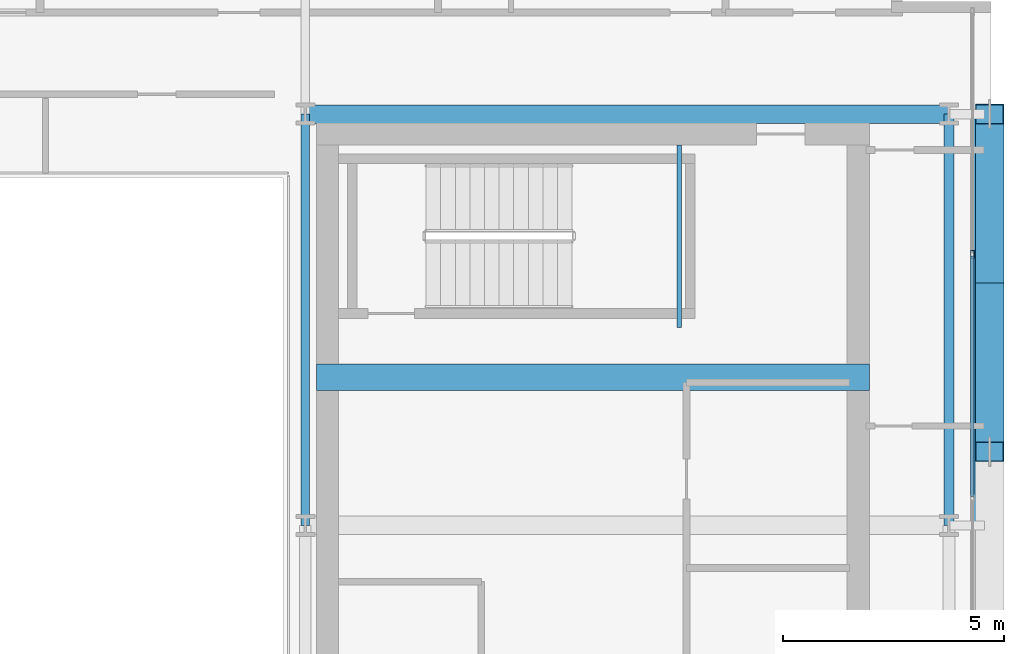
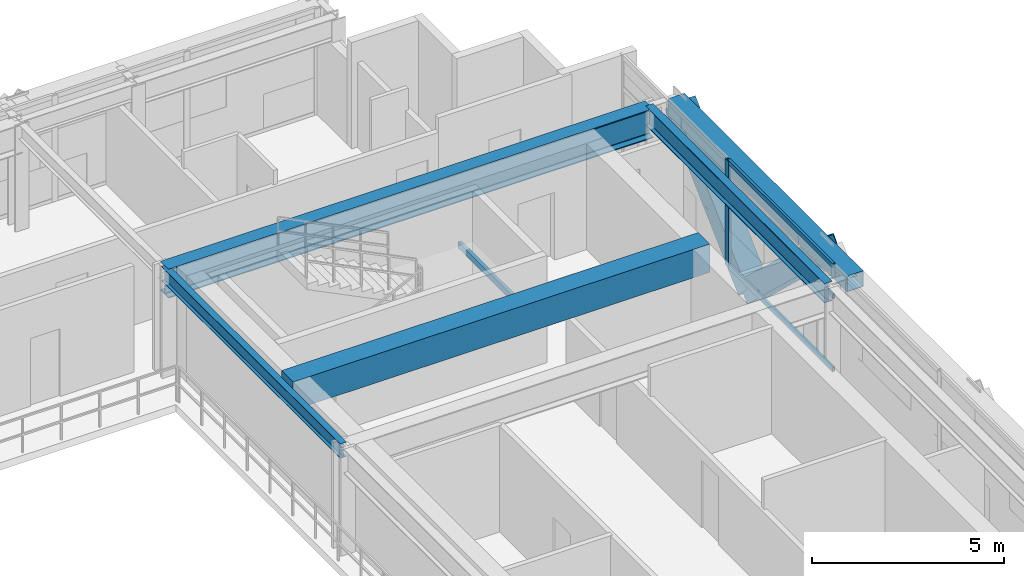
# One storey, part 14 of 32: 6 beams, 6 members, 1 element without a shape of its own.
"""IFC4 building model written with IfcOpenShell, lengths in metres."""

from ifc_helpers import new_model, si_unit, direction, frame, origin, origin_2d, place, context, subcontext, project, spatial, rectangle, hollow_rectangle, i_section, extrude, source, transform, mapped, material, layer, layer_set, material_profile, profile_set, type_object, element, aggregate, save


model = new_model("IFC4")

# Units and contexts
model_context = context("Model", 3, precision=1e-05, world=origin(), true_north=direction((0.0, 1.0)))
body_context = subcontext(model_context, "Body", "Model", "MODEL_VIEW")
ifc_project = project(units=[si_unit("LENGTHUNIT", "METRE"), si_unit("AREAUNIT", "SQUARE_METRE"), si_unit("VOLUMEUNIT", "CUBIC_METRE"), si_unit("PLANEANGLEUNIT", "RADIAN"), si_unit("MASSUNIT", "GRAM", prefix="KILO")], contexts=[model_context])

# Site, building, storey
site_placement = place(None, origin())
site = spatial("IfcSite", under=ifc_project, at=site_placement, CompositionType="ELEMENT")
building_placement = place(site_placement, origin())
building = spatial("IfcBuilding", under=site, at=building_placement, Name="Ocotamira Hotel", CompositionType="ELEMENT")
storey_placement = place(building_placement, frame((0.0, 0.0, 213.60009765625)))
storey = spatial("IfcBuildingStorey", under=building, at=storey_placement, Name="L54", CompositionType="ELEMENT", Elevation=213.60009765625)

# Beams
ifc_material_1 = material(Name="Concrete C50/60", Category="concrete")
ifc_material_profile_1 = material_profile(ifc_material_1, rectangle(XDim=0.60009765625, YDim=0.89990234375, at=origin_2d()), Name="RC600X900")
ifc_profile_set_1 = profile_set([ifc_material_profile_1], Name="Concrete C50/60")
beam_type_1 = type_object("IfcBeamType", Name="BM-LINK-RC600", PredefinedType="LINTEL", material=ifc_profile_set_1)
shared_shape_1 = source(origin(), body_context, "Body", "SweptSolid", [
    extrude(rectangle(XDim=0.60009765625, YDim=0.89990234375, at=origin_2d()), origin(), (0.0, 0.0, 1.0), 12.5),
])
beam_1_placement = place(storey_placement, frame((40.75, 31.5, 2.919921875), z_axis=(1.0, 0.0, 0.0), x_axis=(0.0, 1.0, 0.0)))
element("IfcBeam", 1, at=beam_1_placement, inside=storey, type_object=beam_type_1, Name="L54 East Core Coupling Beam", PredefinedType="LINTEL", context=body_context, shape_type="MappedRepresentation", body=[
    mapped(shared_shape_1, transform((0.0, 0.0, 0.0), scale=1.0)),
])
ifc_material_2 = material(Name="Steel ASTM A500 Grade C", Category="steel")
ifc_material_profile_2 = material_profile(ifc_material_2, hollow_rectangle(XDim=0.10009765625, YDim=0.199951171875, WallThickness=0.008056640625, at=origin_2d()), Name="HSS200X100X8")
ifc_profile_set_2 = profile_set([ifc_material_profile_2], Name="Steel ASTM A500 Grade C")
beam_type_2 = type_object("IfcBeamType", Name="BM-STLDG-HSS200", PredefinedType="BEAM", material=ifc_profile_set_2)
shared_shape_2 = source(origin(), body_context, "Body", "SweptSolid", [
    extrude(hollow_rectangle(XDim=0.10009765625, YDim=0.199951171875, WallThickness=0.008056640625, at=origin_2d()), origin(), (0.0, 0.0, 1.0), 4.1201171875),
])
beam_2_placement = place(storey_placement, frame((48.949951171875, 32.6298828125, 1.5), z_axis=(0.0, 1.0, 0.0), x_axis=(-1.0, 0.0, 0.0)))
element("IfcBeam", 2, at=beam_2_placement, inside=storey, type_object=beam_type_2, Name="L54 Stair ST-4 Landing Bearer 1", PredefinedType="BEAM", context=body_context, shape_type="MappedRepresentation", body=[
    mapped(shared_shape_2, transform((0.0, 0.0, 0.0), scale=1.0)),
])
ifc_material_3 = material(Name="Steel ASTM A992 Grade 50", Category="steel")
ifc_material_profile_3 = material_profile(ifc_material_3, i_section(OverallWidth=0.41796875, OverallDepth=0.927001953125, WebThickness=0.019287109375, FlangeThickness=0.031982421875, FilletRadius=0.02392578125, at=origin_2d()), Name="W36X231")
ifc_profile_set_3 = profile_set([ifc_material_profile_3], Name="Steel ASTM A992 Grade 50")
beam_type_3 = type_object("IfcBeamType", Name="BM-GIRD-W36X231", PredefinedType="BEAM", material=ifc_profile_set_3)
shared_shape_3 = source(origin(), body_context, "Body", "SweptSolid", [
    extrude(i_section(OverallWidth=0.41796875, OverallDepth=0.927001953125, WebThickness=0.019287109375, FlangeThickness=0.031982421875, FilletRadius=0.02392578125, at=origin_2d()), origin(), (0.0, 0.0, 1.0), 14.550048828125),
])
beam_3_placement = place(storey_placement, frame((40.5, 37.449951171875, 2.906494140625), z_axis=(1.0, 0.0, 0.0), x_axis=(0.0, 1.0, 0.0)))
element("IfcBeam", 3, at=beam_3_placement, inside=storey, type_object=beam_type_3, Name="L54 Girder Y37.45 X40.5-55.05", PredefinedType="BEAM", context=body_context, shape_type="MappedRepresentation", body=[
    mapped(shared_shape_3, transform((0.0, 0.0, 0.0), scale=1.0)),
])
ifc_material_profile_4 = material_profile(ifc_material_3, i_section(OverallWidth=0.22998046875, OverallDepth=0.616943359375, WebThickness=0.01318359375, FlangeThickness=0.022216796875, FilletRadius=0.012939453125, at=origin_2d()), Name="W24X94")
ifc_profile_set_4 = profile_set([ifc_material_profile_4], Name="Steel ASTM A992 Grade 50")
beam_type_4 = type_object("IfcBeamType", Name="BM-PRIM-W24X94", PredefinedType="BEAM", material=ifc_profile_set_4)
shared_shape_4 = source(origin(), body_context, "Body", "SweptSolid", [
    extrude(i_section(OverallWidth=0.22998046875, OverallDepth=0.616943359375, WebThickness=0.01318359375, FlangeThickness=0.022216796875, FilletRadius=0.012939453125, at=origin_2d()), origin(), (0.0, 0.0, 1.0), 9.300048828125),
])
beam_4_placement = place(storey_placement, frame((55.050048828125, 28.14990234375, 3.0615234375), z_axis=(0.0, 1.0, 0.0), x_axis=(-1.0, 0.0, 0.0)))
element("IfcBeam", 4, at=beam_4_placement, inside=storey, type_object=beam_type_4, Name="L54 Beam X55.05 Y28.15-37.45", PredefinedType="BEAM", context=body_context, shape_type="MappedRepresentation", body=[
    mapped(shared_shape_4, transform((0.0, 0.0, 0.0), scale=1.0)),
])
ifc_material_profile_5 = material_profile(ifc_material_3, i_section(OverallWidth=0.18994140625, OverallDepth=0.45703125, WebThickness=0.009033203125, FlangeThickness=0.014404296875, FilletRadius=0.010009765625, at=origin_2d()), Name="W18X50")
ifc_profile_set_5 = profile_set([ifc_material_profile_5], Name="Steel ASTM A992 Grade 50")
beam_type_5 = type_object("IfcBeamType", Name="BM-SEC-W18X50", PredefinedType="JOIST", material=ifc_profile_set_5)
shared_shape_5 = source(origin(), body_context, "Body", "SweptSolid", [
    extrude(i_section(OverallWidth=0.18994140625, OverallDepth=0.45703125, WebThickness=0.009033203125, FlangeThickness=0.014404296875, FilletRadius=0.010009765625, at=origin_2d()), origin(), (0.0, 0.0, 1.0), 9.300048828125),
])
beam_5_placement = place(storey_placement, frame((40.5, 28.14990234375, 3.141357421875), z_axis=(0.0, 1.0, 0.0), x_axis=(-1.0, 0.0, 0.0)))
element("IfcBeam", 5, at=beam_5_placement, inside=storey, type_object=beam_type_5, Name="L54 Beam X40.5 Y28.15-37.45", PredefinedType="JOIST", context=body_context, shape_type="MappedRepresentation", body=[
    mapped(shared_shape_5, transform((0.0, 0.0, 0.0), scale=1.0)),
])
ifc_material_profile_6 = material_profile(ifc_material_2, hollow_rectangle(XDim=0.5, YDim=0.5, WallThickness=0.02001953125, at=origin_2d()), Name="HSS500X500X20")
ifc_profile_set_6 = profile_set([ifc_material_profile_6], Name="Steel ASTM A500 Grade C")
beam_type_6 = type_object("IfcBeamType", Name="BM-SPAN-HSS500", PredefinedType="USERDEFINED", material=ifc_profile_set_6)
shared_shape_6 = source(origin(), body_context, "Body", "SweptSolid", [
    extrude(hollow_rectangle(XDim=0.5, YDim=0.5, WallThickness=0.02001953125, at=origin_2d()), origin(), (0.0, 0.0, 1.0), 9.300048828125),
])
beam_6_placement = place(storey_placement, frame((55.85009765625, 28.14990234375, 3.119873046875), z_axis=(0.0, 1.0, 0.0), x_axis=(-1.0, 0.0, 0.0)))
element("IfcBeam", 6, at=beam_6_placement, inside=storey, type_object=beam_type_6, Name="L54 Edge Spandrel E Y28.15-37.45", ObjectType="SPANDREL", PredefinedType="USERDEFINED", context=body_context, shape_type="MappedRepresentation", body=[
    mapped(shared_shape_6, transform((0.0, 0.0, 0.0), scale=1.0)),
])

# Members
ifc_material_4 = material(Name="Pale-metal coated steel ASTM A913 Grade 65", Category="steel")
ifc_material_profile_7 = material_profile(ifc_material_4, hollow_rectangle(XDim=0.64990234375, YDim=0.64990234375, WallThickness=0.02197265625, at=origin_2d()), Name="BOX650X650X22")
ifc_profile_set_7 = profile_set([ifc_material_profile_7], Name="Pale-metal coated steel ASTM A913 Grade 65")
member_type_1 = type_object("IfcMemberType", Name="MEM-EXO-BOX650", PredefinedType="BRACE", material=ifc_profile_set_7)
shared_shape_7 = source(origin(), body_context, "Body", "SweptSolid", [
    extrude(hollow_rectangle(XDim=0.64990234375, YDim=0.64990234375, WallThickness=0.02197265625, at=origin_2d()), origin(), (0.0, 0.0, 1.0), 5.24658203125),
])
for number, where, z_axis, x_axis, name in (
    (7, (55.969970703125, 33.63330078125, -0.47998046875), (0.0, -0.72746596067, 0.686143772154), (1.0, 0.0, 0.0), "L54 Exoskeleton Diagrid E2.1"),
    (8, (55.969970703125, 33.63330078125, -0.47998046875), (0.0, 0.72746596067, 0.686143772154), (-1.0, 0.0, 0.0), "L54 Exoskeleton Diagrid E2.2"),
):
    element("IfcMember", number, at=place(storey_placement, frame(where, z_axis=z_axis, x_axis=x_axis)), inside=storey, type_object=member_type_1, Name=name, PredefinedType="BRACE", context=body_context, shape_type="MappedRepresentation", body=[
        mapped(shared_shape_7, transform((0.0, 0.0, 0.0), scale=1.0)),
    ])

# Curtain wall, members
ifc_material_5 = material(Name="Anodised pale-metal aluminium and solar glass", Category="aluminium")
ifc_layer = layer(ifc_material_5, 0.199951171875)
ifc_layer_set = layer_set([ifc_layer], Name="Anodised pale-metal aluminium and solar glass")
curtain_wall_type = type_object("IfcCurtainWallType", Name="CW-SYS4-Z3", PredefinedType="NOTDEFINED", material=ifc_layer_set)
curtain_wall_placement = place(storey_placement, origin())
curtain_wall = element("IfcCurtainWall", 9, at=curtain_wall_placement, inside=storey, type_object=curtain_wall_type, Name="L54 Curtain Wall CW-4 CW-L54-E", PredefinedType="NOTDEFINED")
ifc_material_6 = material(Name="Anodised pale-metal aluminium 6063-T6", Category="aluminium")
ifc_material_profile_8 = material_profile(ifc_material_6, hollow_rectangle(XDim=0.074951171875, YDim=0.14990234375, WallThickness=0.006103515625, at=origin_2d()), Name="HSS150X75X6")
ifc_profile_set_8 = profile_set([ifc_material_profile_8], Name="Anodised pale-metal aluminium 6063-T6")
member_type_2 = type_object("IfcMemberType", Name="CWT-150X75", PredefinedType="USERDEFINED", material=ifc_profile_set_8)
shared_shape_8 = source(origin(), body_context, "Body", "SweptSolid", [
    extrude(hollow_rectangle(XDim=0.074951171875, YDim=0.14990234375, WallThickness=0.006103515625, at=origin_2d()), origin(), (0.0, 0.0, 1.0), 5.43994140625),
])
member_1_placement = place(storey_placement, frame((55.580078125, 28.800048828125, 0.037353515625), z_axis=(0.0, 1.0, 0.0), x_axis=(-1.0, 0.0, 0.0)))
member_1 = element("IfcMember", 10, at=member_1_placement, type_object=member_type_2, Name="CW-4 transom 4.1", ObjectType="TRANSOM", PredefinedType="USERDEFINED", context=body_context, shape_type="MappedRepresentation", body=[
    mapped(shared_shape_8, transform((0.0, 0.0, 0.0), scale=1.0)),
])
member_2_placement = place(storey_placement, frame((55.580078125, 28.800048828125, 2.349853515625), z_axis=(0.0, 1.0, 0.0), x_axis=(-1.0, 0.0, 0.0)))
member_2 = element("IfcMember", 11, at=member_2_placement, type_object=member_type_2, Name="CW-4 transom 4.2", ObjectType="TRANSOM", PredefinedType="USERDEFINED", context=body_context, shape_type="MappedRepresentation", body=[
    mapped(shared_shape_8, transform((0.0, 0.0, 0.0), scale=1.0)),
])
member_3_placement = place(storey_placement, frame((55.580078125, 28.800048828125, 3.33251953125), z_axis=(0.0, 1.0, 0.0), x_axis=(-1.0, 0.0, 0.0)))
member_3 = element("IfcMember", 12, at=member_3_placement, type_object=member_type_2, Name="CW-4 transom 4.3", ObjectType="TRANSOM", PredefinedType="USERDEFINED", context=body_context, shape_type="MappedRepresentation", body=[
    mapped(shared_shape_8, transform((0.0, 0.0, 0.0), scale=1.0)),
])
ifc_material_profile_9 = material_profile(ifc_material_6, hollow_rectangle(XDim=0.080078125, YDim=0.179931640625, WallThickness=0.006103515625, at=origin_2d()), Name="HSS180X80X6")
ifc_profile_set_9 = profile_set([ifc_material_profile_9], Name="Anodised pale-metal aluminium 6063-T6")
member_type_3 = type_object("IfcMemberType", Name="CWM-180X75", PredefinedType="MULLION", material=ifc_profile_set_9)
shared_shape_9 = source(origin(), body_context, "Body", "SweptSolid", [
    extrude(hollow_rectangle(XDim=0.080078125, YDim=0.179931640625, WallThickness=0.006103515625, at=origin_2d()), origin(), (0.0, 0.0, 1.0), 3.369873046875),
])
member_4_placement = place(storey_placement, frame((55.580078125, 34.280029296875, 0.0), z_axis=(0.0, 0.0, 1.0), x_axis=(-1.0, 0.0, 0.0)))
member_4 = element("IfcMember", 13, at=member_4_placement, type_object=member_type_3, Name="CW-4 mullion 5", PredefinedType="MULLION", context=body_context, shape_type="MappedRepresentation", body=[
    mapped(shared_shape_9, transform((0.0, 0.0, 0.0), scale=1.0)),
])
aggregate(curtain_wall, [member_4, member_1, member_2, member_3])

save(model, "model.ifc")
